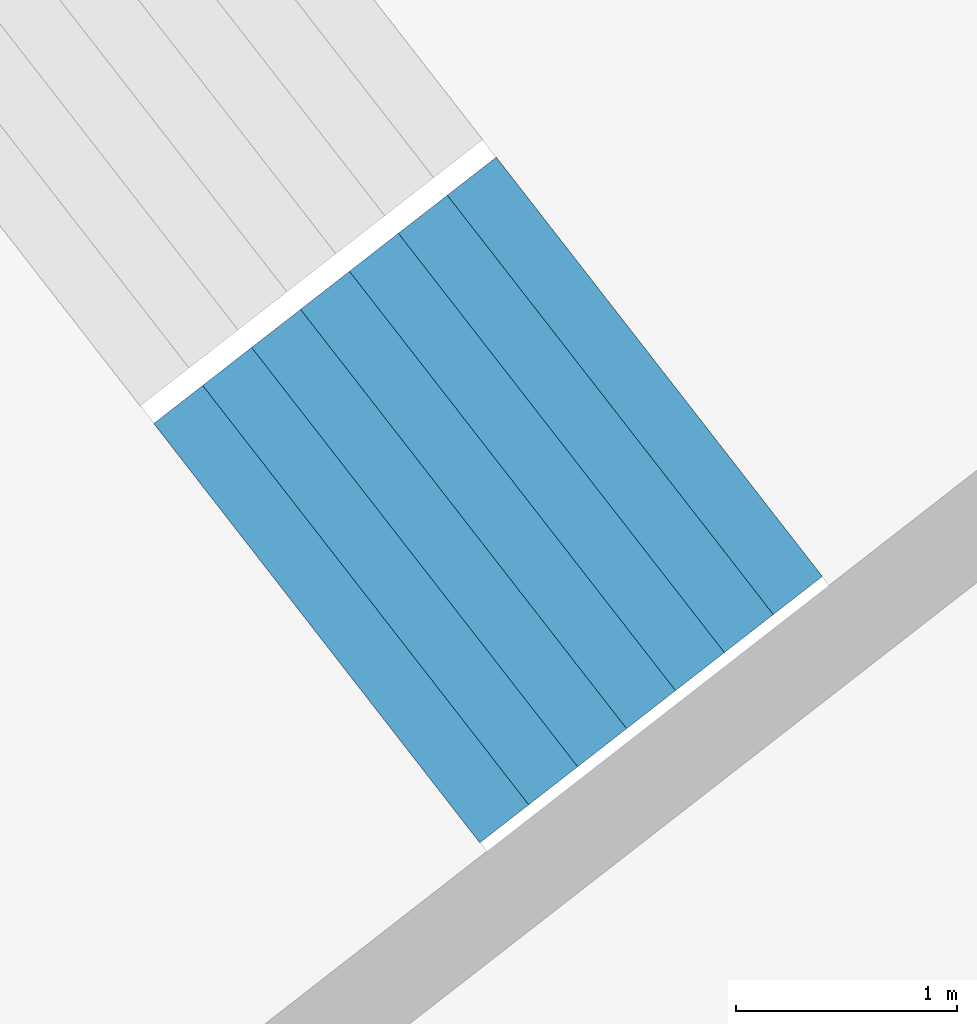
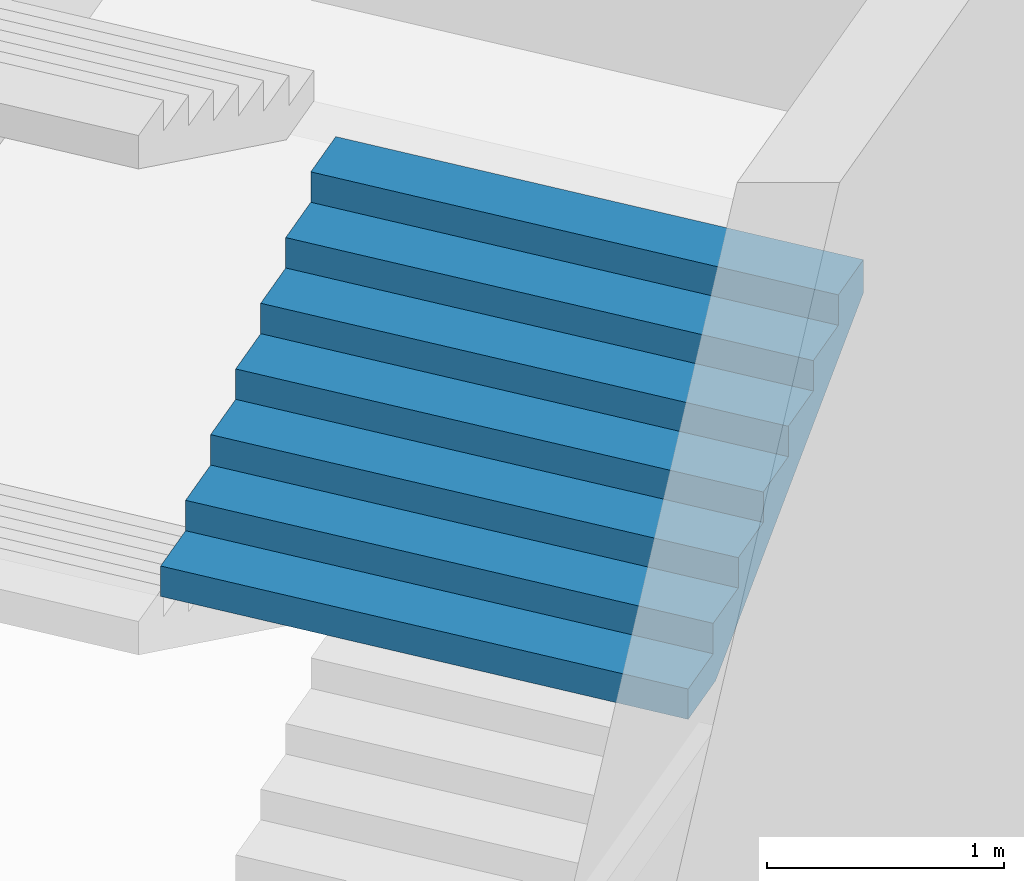
# One storey, part 62 of 73: 1 stair flight, 1 element without a shape of its own.
"""IFC4 building model written with IfcOpenShell, lengths in metres."""

from ifc_helpers import new_model, si_unit, direction, frame, origin, place, context, subcontext, project, spatial, triangles, material, type_object, element, aggregate, save


model = new_model("IFC4")

# Units and contexts
model_context = context("Model", 3, precision=1e-05, world=origin(), true_north=direction((0.0, 1.0)))
body_context = subcontext(model_context, "Body", "Model", "MODEL_VIEW")
ifc_project = project(units=[si_unit("LENGTHUNIT", "METRE"), si_unit("AREAUNIT", "SQUARE_METRE"), si_unit("VOLUMEUNIT", "CUBIC_METRE"), si_unit("PLANEANGLEUNIT", "RADIAN"), si_unit("MASSUNIT", "GRAM", prefix="KILO")], contexts=[model_context])

# Site, building, storey
site_placement = place(None, origin())
site = spatial("IfcSite", under=ifc_project, at=site_placement, CompositionType="ELEMENT")
building_placement = place(site_placement, origin())
building = spatial("IfcBuilding", under=site, at=building_placement, Name="Lantaw Convention Tower", CompositionType="ELEMENT")
storey_placement = place(building_placement, frame((0.0, 0.0, 27.0)))
storey = spatial("IfcBuildingStorey", under=building, at=storey_placement, Name="L04", CompositionType="ELEMENT", Elevation=27.0)

# Stair, stair flight
ifc_material = material(Name="Concrete C35/45", Category="concrete")
stair_type = type_object("IfcStairType", Name="Exit stair 2400 riser 156.25 in 4 flights", PredefinedType="HALF_TURN_STAIR", material=ifc_material)
stair_placement = place(storey_placement, origin())
stair = element("IfcStair", 1, at=stair_placement, inside=storey, type_object=stair_type, Name="Podium exit stair P3 L04", PredefinedType="HALF_TURN_STAIR")
stair_flight_type = type_object("IfcStairFlightType", Name="Stair flight 2400 riser 156.25", PredefinedType="STRAIGHT", material=ifc_material)
stair_flight_placement = place(storey_placement, frame((29.494384765625, 21.3544921875, 2.5), z_axis=(0.0, 0.0, 1.0), x_axis=(0.789378829664, 0.613906396186, 0.0)))
stair_flight = element("IfcStairFlight", 2, at=stair_flight_placement, type_object=stair_flight_type, Name="P3 flight 3", NumberOfRisers=8, NumberOfTreads=7, PredefinedType="STRAIGHT", RiserHeight=0.15625, TreadLength=0.28, context=body_context, shape_type="Tessellation", body=[
    triangles([(0.0, 1.199951171875, 0.0), (0.0, 1.199951171875, 0.15625), (0.28, 1.199951171875, 0.0), (0.28, 1.199951171875, 0.15625), (0.28, 1.199951171875, 0.3125), (0.3076200632058044, 1.199951171875, 0.0), (0.3076200632058044, 1.199951171875, 0.3125), (0.56, 1.199951171875, 0.14083701830033238), (0.56, 1.199951171875, 0.3125), (0.56, 1.199951171875, 0.46875), (0.8400000000000001, 1.199951171875, 0.29708701830033235), (0.8400000000000001, 1.199951171875, 0.46875), (0.8400000000000001, 1.199951171875, 0.625), (1.12, 1.199951171875, 0.45333701830033235), (1.12, 1.199951171875, 0.625), (1.12, 1.199951171875, 0.78125), (1.4000000000000001, 1.199951171875, 0.6095870183003324), (1.4000000000000001, 1.199951171875, 0.78125), (1.4000000000000001, 1.199951171875, 0.9375), (1.6800000000000002, 1.199951171875, 0.7658370183003324), (1.6800000000000002, 1.199951171875, 0.9375), (1.6800000000000002, 1.199951171875, 1.09375), (1.9600000000000002, 1.199951171875, 0.9220870183003324), (1.9600000000000002, 1.199951171875, 1.09375), (0.0, -1.199951171875, 0.0), (0.0, -1.199951171875, 0.15625), (0.28, -1.199951171875, 0.0), (0.28, -1.199951171875, 0.15625), (0.28, -1.199951171875, 0.3125), (0.3076200632058044, -1.199951171875, 0.0), (0.3076200632058044, -1.199951171875, 0.3125), (0.56, -1.199951171875, 0.14083701830033238), (0.56, -1.199951171875, 0.3125), (0.56, -1.199951171875, 0.46875), (0.8400000000000001, -1.199951171875, 0.29708701830033235), (0.8400000000000001, -1.199951171875, 0.46875), (0.8400000000000001, -1.199951171875, 0.625), (1.12, -1.199951171875, 0.45333701830033235), (1.12, -1.199951171875, 0.625), (1.12, -1.199951171875, 0.78125), (1.4000000000000001, -1.199951171875, 0.6095870183003324), (1.4000000000000001, -1.199951171875, 0.78125), (1.4000000000000001, -1.199951171875, 0.9375), (1.6800000000000002, -1.199951171875, 0.7658370183003324), (1.6800000000000002, -1.199951171875, 0.9375), (1.6800000000000002, -1.199951171875, 1.09375), (1.9600000000000002, -1.199951171875, 0.9220870183003324), (1.9600000000000002, -1.199951171875, 1.09375), (0.0, 0.239990234375, 0.15625), (0.0, 0.239990234375, 0.0), (0.0, 0.1919921875, 0.15625), (0.0, 0.1919921875, 0.0), (0.0, 0.143994140625, 0.15625), (0.0, 0.143994140625, 0.0), (0.0, 0.09599609375, 0.15625), (0.0, 0.09599609375, 0.0), (0.0, 0.047998046875, 0.15625), (0.0, 0.047998046875, 0.0), (0.0, 0.0, 0.15625), (0.0, 0.0, 0.0), (0.0, -0.047998046875, 0.15625), (0.0, -0.047998046875, 0.0), (0.0, -0.09599609375, 0.15625), (0.0, -0.09599609375, 0.0), (0.0, -0.143994140625, 0.15625), (0.0, -0.143994140625, 0.0), (0.0, -0.1919921875, 0.15625), (0.0, -0.1919921875, 0.0), (0.0, -0.239990234375, 0.15625), (0.0, -0.239990234375, 0.0), (0.28, 0.239990234375, 0.3125), (0.28, 0.239990234375, 0.15625), (0.28, 0.1919921875, 0.3125), (0.28, 0.1919921875, 0.15625), (0.28, 0.143994140625, 0.3125), (0.28, 0.143994140625, 0.15625), (0.28, 0.09599609375, 0.3125), (0.28, 0.09599609375, 0.15625), (0.28, 0.047998046875, 0.3125), (0.28, 0.047998046875, 0.15625), (0.28, 0.0, 0.3125), (0.28, 0.0, 0.15625), (0.28, -0.047998046875, 0.3125), (0.28, -0.047998046875, 0.15625), (0.28, -0.09599609375, 0.3125), (0.28, -0.09599609375, 0.15625), (0.28, -0.143994140625, 0.3125), (0.28, -0.143994140625, 0.15625), (0.28, -0.1919921875, 0.3125), (0.28, -0.1919921875, 0.15625), (0.28, -0.239990234375, 0.3125), (0.28, -0.239990234375, 0.15625), (0.56, 0.239990234375, 0.46875), (0.56, 0.239990234375, 0.3125), (0.56, 0.1919921875, 0.46875), (0.56, 0.1919921875, 0.3125), (0.56, 0.143994140625, 0.46875), (0.56, 0.143994140625, 0.3125), (0.56, 0.09599609375, 0.46875), (0.56, 0.09599609375, 0.3125), (0.56, 0.047998046875, 0.46875), (0.56, 0.047998046875, 0.3125), (0.56, 0.0, 0.46875), (0.56, 0.0, 0.3125), (0.56, -0.047998046875, 0.46875), (0.56, -0.047998046875, 0.3125), (0.56, -0.09599609375, 0.46875), (0.56, -0.09599609375, 0.3125), (0.56, -0.143994140625, 0.46875), (0.56, -0.143994140625, 0.3125), (0.56, -0.1919921875, 0.46875), (0.56, -0.1919921875, 0.3125), (0.56, -0.239990234375, 0.46875), (0.56, -0.239990234375, 0.3125), (0.8400000000000001, 0.239990234375, 0.625), (0.8400000000000001, 0.239990234375, 0.46875), (0.8400000000000001, 0.1919921875, 0.625), (0.8400000000000001, 0.1919921875, 0.46875), (0.8400000000000001, 0.143994140625, 0.625), (0.8400000000000001, 0.143994140625, 0.46875), (0.8400000000000001, 0.09599609375, 0.625), (0.8400000000000001, 0.09599609375, 0.46875), (0.8400000000000001, 0.047998046875, 0.625), (0.8400000000000001, 0.047998046875, 0.46875), (0.8400000000000001, 0.0, 0.625), (0.8400000000000001, 0.0, 0.46875), (0.8400000000000001, -0.047998046875, 0.625), (0.8400000000000001, -0.047998046875, 0.46875), (0.8400000000000001, -0.09599609375, 0.625), (0.8400000000000001, -0.09599609375, 0.46875), (0.8400000000000001, -0.143994140625, 0.625), (0.8400000000000001, -0.143994140625, 0.46875), (0.8400000000000001, -0.1919921875, 0.625), (0.8400000000000001, -0.1919921875, 0.46875), (0.8400000000000001, -0.239990234375, 0.625), (0.8400000000000001, -0.239990234375, 0.46875), (1.12, 0.239990234375, 0.78125), (1.12, 0.239990234375, 0.625), (1.12, 0.1919921875, 0.78125), (1.12, 0.1919921875, 0.625), (1.12, 0.143994140625, 0.78125), (1.12, 0.143994140625, 0.625), (1.12, 0.09599609375, 0.78125), (1.12, 0.09599609375, 0.625), (1.12, 0.047998046875, 0.78125), (1.12, 0.047998046875, 0.625), (1.12, 0.0, 0.78125), (1.12, 0.0, 0.625), (1.12, -0.047998046875, 0.78125), (1.12, -0.047998046875, 0.625), (1.12, -0.09599609375, 0.78125), (1.12, -0.09599609375, 0.625), (1.12, -0.143994140625, 0.78125), (1.12, -0.143994140625, 0.625), (1.12, -0.1919921875, 0.78125), (1.12, -0.1919921875, 0.625), (1.12, -0.239990234375, 0.78125), (1.12, -0.239990234375, 0.625), (1.4000000000000001, 0.239990234375, 0.9375), (1.4000000000000001, 0.239990234375, 0.78125), (1.4000000000000001, 0.1919921875, 0.9375), (1.4000000000000001, 0.1919921875, 0.78125), (1.4000000000000001, 0.143994140625, 0.9375), (1.4000000000000001, 0.143994140625, 0.78125), (1.4000000000000001, 0.09599609375, 0.9375), (1.4000000000000001, 0.09599609375, 0.78125), (1.4000000000000001, 0.047998046875, 0.9375), (1.4000000000000001, 0.047998046875, 0.78125), (1.4000000000000001, 0.0, 0.9375), (1.4000000000000001, 0.0, 0.78125), (1.4000000000000001, -0.047998046875, 0.9375), (1.4000000000000001, -0.047998046875, 0.78125), (1.4000000000000001, -0.09599609375, 0.9375), (1.4000000000000001, -0.09599609375, 0.78125), (1.4000000000000001, -0.143994140625, 0.9375), (1.4000000000000001, -0.143994140625, 0.78125), (1.4000000000000001, -0.1919921875, 0.9375), (1.4000000000000001, -0.1919921875, 0.78125), (1.4000000000000001, -0.239990234375, 0.9375), (1.4000000000000001, -0.239990234375, 0.78125), (1.6800000000000002, 0.239990234375, 1.09375), (1.6800000000000002, 0.239990234375, 0.9375), (1.6800000000000002, 0.1919921875, 1.09375), (1.6800000000000002, 0.1919921875, 0.9375), (1.6800000000000002, 0.143994140625, 1.09375), (1.6800000000000002, 0.143994140625, 0.9375), (1.6800000000000002, 0.09599609375, 1.09375), (1.6800000000000002, 0.09599609375, 0.9375), (1.6800000000000002, 0.047998046875, 1.09375), (1.6800000000000002, 0.047998046875, 0.9375), (1.6800000000000002, 0.0, 1.09375), (1.6800000000000002, 0.0, 0.9375), (1.6800000000000002, -0.047998046875, 1.09375), (1.6800000000000002, -0.047998046875, 0.9375), (1.6800000000000002, -0.09599609375, 1.09375), (1.6800000000000002, -0.09599609375, 0.9375), (1.6800000000000002, -0.143994140625, 1.09375), (1.6800000000000002, -0.143994140625, 0.9375), (1.6800000000000002, -0.1919921875, 1.09375), (1.6800000000000002, -0.1919921875, 0.9375), (1.6800000000000002, -0.239990234375, 1.09375), (1.6800000000000002, -0.239990234375, 0.9375), (0.3076200632058044, 0.239990234375, 0.3125), (0.3076200632058044, 0.1919921875, 0.3125), (0.3076200632058044, 0.143994140625, 0.3125), (0.3076200632058044, 0.09599609375, 0.3125), (0.3076200632058044, 0.047998046875, 0.3125), (0.3076200632058044, 0.0, 0.3125), (0.3076200632058044, -0.047998046875, 0.3125), (0.3076200632058044, -0.09599609375, 0.3125), (0.3076200632058044, -0.143994140625, 0.3125), (0.3076200632058044, -0.1919921875, 0.3125), (0.3076200632058044, -0.239990234375, 0.3125), (1.9600000000000002, 0.239990234375, 1.09375), (1.9600000000000002, 0.1919921875, 1.09375), (1.9600000000000002, 0.143994140625, 1.09375), (1.9600000000000002, 0.09599609375, 1.09375), (1.9600000000000002, 0.047998046875, 1.09375), (1.9600000000000002, 0.0, 1.09375), (1.9600000000000002, -0.047998046875, 1.09375), (1.9600000000000002, -0.09599609375, 1.09375), (1.9600000000000002, -0.143994140625, 1.09375), (1.9600000000000002, -0.1919921875, 1.09375), (1.9600000000000002, -0.239990234375, 1.09375), (1.9600000000000002, 0.239990234375, 0.9220870183003324), (1.9600000000000002, 0.1919921875, 0.9220870183003324), (1.9600000000000002, 0.143994140625, 0.9220870183003324), (1.9600000000000002, 0.09599609375, 0.9220870183003324), (1.9600000000000002, 0.047998046875, 0.9220870183003324), (1.9600000000000002, 0.0, 0.9220870183003324), (1.9600000000000002, -0.047998046875, 0.9220870183003324), (1.9600000000000002, -0.09599609375, 0.9220870183003324), (1.9600000000000002, -0.143994140625, 0.9220870183003324), (1.9600000000000002, -0.1919921875, 0.9220870183003324), (1.9600000000000002, -0.239990234375, 0.9220870183003324), (1.6800000000000002, 0.239990234375, 0.7658370183003324), (1.6800000000000002, 0.1919921875, 0.7658370183003324), (1.6800000000000002, 0.143994140625, 0.7658370183003324), (1.6800000000000002, 0.09599609375, 0.7658370183003324), (1.6800000000000002, 0.047998046875, 0.7658370183003324), (1.6800000000000002, 0.0, 0.7658370183003324), (1.6800000000000002, -0.047998046875, 0.7658370183003324), (1.6800000000000002, -0.09599609375, 0.7658370183003324), (1.6800000000000002, -0.143994140625, 0.7658370183003324), (1.6800000000000002, -0.1919921875, 0.7658370183003324), (1.6800000000000002, -0.239990234375, 0.7658370183003324), (1.4000000000000001, 0.239990234375, 0.6095870183003324), (1.4000000000000001, 0.1919921875, 0.6095870183003324), (1.4000000000000001, 0.143994140625, 0.6095870183003324), (1.4000000000000001, 0.09599609375, 0.6095870183003324), (1.4000000000000001, 0.047998046875, 0.6095870183003324), (1.4000000000000001, 0.0, 0.6095870183003324), (1.4000000000000001, -0.047998046875, 0.6095870183003324), (1.4000000000000001, -0.09599609375, 0.6095870183003324), (1.4000000000000001, -0.143994140625, 0.6095870183003324), (1.4000000000000001, -0.1919921875, 0.6095870183003324), (1.4000000000000001, -0.239990234375, 0.6095870183003324), (1.12, 0.239990234375, 0.45333701830033235), (1.12, 0.1919921875, 0.45333701830033235), (1.12, 0.143994140625, 0.45333701830033235), (1.12, 0.09599609375, 0.45333701830033235), (1.12, 0.047998046875, 0.45333701830033235), (1.12, 0.0, 0.45333701830033235), (1.12, -0.047998046875, 0.45333701830033235), (1.12, -0.09599609375, 0.45333701830033235), (1.12, -0.143994140625, 0.45333701830033235), (1.12, -0.1919921875, 0.45333701830033235), (1.12, -0.239990234375, 0.45333701830033235), (0.8400000000000001, 0.239990234375, 0.29708701830033235), (0.8400000000000001, 0.1919921875, 0.29708701830033235), (0.8400000000000001, 0.143994140625, 0.29708701830033235), (0.8400000000000001, 0.09599609375, 0.29708701830033235), (0.8400000000000001, 0.047998046875, 0.29708701830033235), (0.8400000000000001, 0.0, 0.29708701830033235), (0.8400000000000001, -0.047998046875, 0.29708701830033235), (0.8400000000000001, -0.09599609375, 0.29708701830033235), (0.8400000000000001, -0.143994140625, 0.29708701830033235), (0.8400000000000001, -0.1919921875, 0.29708701830033235), (0.8400000000000001, -0.239990234375, 0.29708701830033235), (0.56, 0.239990234375, 0.14083701830033238), (0.56, 0.1919921875, 0.14083701830033238), (0.56, 0.143994140625, 0.14083701830033238), (0.56, 0.09599609375, 0.14083701830033238), (0.56, 0.047998046875, 0.14083701830033238), (0.56, 0.0, 0.14083701830033238), (0.56, -0.047998046875, 0.14083701830033238), (0.56, -0.09599609375, 0.14083701830033238), (0.56, -0.143994140625, 0.14083701830033238), (0.56, -0.1919921875, 0.14083701830033238), (0.56, -0.239990234375, 0.14083701830033238), (0.3076200632058044, 0.239990234375, 0.0), (0.3076200632058044, 0.1919921875, 0.0), (0.3076200632058044, 0.143994140625, 0.0), (0.3076200632058044, 0.09599609375, 0.0), (0.3076200632058044, 0.047998046875, 0.0), (0.3076200632058044, 0.0, 0.0), (0.3076200632058044, -0.047998046875, 0.0), (0.3076200632058044, -0.09599609375, 0.0), (0.3076200632058044, -0.143994140625, 0.0), (0.3076200632058044, -0.1919921875, 0.0), (0.3076200632058044, -0.239990234375, 0.0), (0.28, 0.239990234375, 0.0), (0.28, 0.1919921875, 0.0), (0.28, 0.143994140625, 0.0), (0.28, 0.09599609375, 0.0), (0.28, 0.047998046875, 0.0), (0.28, 0.0, 0.0), (0.28, -0.047998046875, 0.0), (0.28, -0.09599609375, 0.0), (0.28, -0.143994140625, 0.0), (0.28, -0.1919921875, 0.0), (0.28, -0.239990234375, 0.0)], [[1, 4, 3], [1, 2, 4], [3, 4, 6], [4, 7, 6], [4, 5, 7], [6, 9, 8], [6, 7, 9], [8, 9, 11], [9, 12, 11], [9, 10, 12], [11, 12, 14], [12, 15, 14], [12, 13, 15], [14, 15, 17], [15, 18, 17], [15, 16, 18], [17, 18, 20], [18, 21, 20], [18, 19, 21], [20, 21, 23], [21, 24, 23], [21, 22, 24], [25, 27, 28], [25, 28, 26], [27, 30, 28], [28, 30, 31], [28, 31, 29], [30, 32, 33], [30, 33, 31], [32, 35, 33], [33, 35, 36], [33, 36, 34], [35, 38, 36], [36, 38, 39], [36, 39, 37], [38, 41, 39], [39, 41, 42], [39, 42, 40], [41, 44, 42], [42, 44, 45], [42, 45, 43], [44, 47, 45], [45, 47, 48], [45, 48, 46], [1, 49, 2], [1, 50, 49], [50, 51, 49], [50, 52, 51], [52, 53, 51], [52, 54, 53], [54, 55, 53], [54, 56, 55], [56, 57, 55], [56, 58, 57], [58, 59, 57], [58, 60, 59], [60, 61, 59], [60, 62, 61], [62, 63, 61], [62, 64, 63], [64, 65, 63], [64, 66, 65], [66, 67, 65], [66, 68, 67], [68, 69, 67], [68, 70, 69], [70, 26, 69], [70, 25, 26], [4, 71, 5], [4, 72, 71], [72, 73, 71], [72, 74, 73], [74, 75, 73], [74, 76, 75], [76, 77, 75], [76, 78, 77], [78, 79, 77], [78, 80, 79], [80, 81, 79], [80, 82, 81], [82, 83, 81], [82, 84, 83], [84, 85, 83], [84, 86, 85], [86, 87, 85], [86, 88, 87], [88, 89, 87], [88, 90, 89], [90, 91, 89], [90, 92, 91], [92, 29, 91], [92, 28, 29], [9, 93, 10], [9, 94, 93], [94, 95, 93], [94, 96, 95], [96, 97, 95], [96, 98, 97], [98, 99, 97], [98, 100, 99], [100, 101, 99], [100, 102, 101], [102, 103, 101], [102, 104, 103], [104, 105, 103], [104, 106, 105], [106, 107, 105], [106, 108, 107], [108, 109, 107], [108, 110, 109], [110, 111, 109], [110, 112, 111], [112, 113, 111], [112, 114, 113], [114, 34, 113], [114, 33, 34], [12, 115, 13], [12, 116, 115], [116, 117, 115], [116, 118, 117], [118, 119, 117], [118, 120, 119], [120, 121, 119], [120, 122, 121], [122, 123, 121], [122, 124, 123], [124, 125, 123], [124, 126, 125], [126, 127, 125], [126, 128, 127], [128, 129, 127], [128, 130, 129], [130, 131, 129], [130, 132, 131], [132, 133, 131], [132, 134, 133], [134, 135, 133], [134, 136, 135], [136, 37, 135], [136, 36, 37], [15, 137, 16], [15, 138, 137], [138, 139, 137], [138, 140, 139], [140, 141, 139], [140, 142, 141], [142, 143, 141], [142, 144, 143], [144, 145, 143], [144, 146, 145], [146, 147, 145], [146, 148, 147], [148, 149, 147], [148, 150, 149], [150, 151, 149], [150, 152, 151], [152, 153, 151], [152, 154, 153], [154, 155, 153], [154, 156, 155], [156, 157, 155], [156, 158, 157], [158, 40, 157], [158, 39, 40], [18, 159, 19], [18, 160, 159], [160, 161, 159], [160, 162, 161], [162, 163, 161], [162, 164, 163], [164, 165, 163], [164, 166, 165], [166, 167, 165], [166, 168, 167], [168, 169, 167], [168, 170, 169], [170, 171, 169], [170, 172, 171], [172, 173, 171], [172, 174, 173], [174, 175, 173], [174, 176, 175], [176, 177, 175], [176, 178, 177], [178, 179, 177], [178, 180, 179], [180, 43, 179], [180, 42, 43], [21, 181, 22], [21, 182, 181], [182, 183, 181], [182, 184, 183], [184, 185, 183], [184, 186, 185], [186, 187, 185], [186, 188, 187], [188, 189, 187], [188, 190, 189], [190, 191, 189], [190, 192, 191], [192, 193, 191], [192, 194, 193], [194, 195, 193], [194, 196, 195], [196, 197, 195], [196, 198, 197], [198, 199, 197], [198, 200, 199], [200, 201, 199], [200, 202, 201], [202, 46, 201], [202, 45, 46], [2, 72, 4], [2, 49, 72], [49, 74, 72], [49, 51, 74], [51, 76, 74], [51, 53, 76], [53, 78, 76], [53, 55, 78], [55, 80, 78], [55, 57, 80], [57, 82, 80], [57, 59, 82], [59, 84, 82], [59, 61, 84], [61, 86, 84], [61, 63, 86], [63, 88, 86], [63, 65, 88], [65, 90, 88], [65, 67, 90], [67, 92, 90], [67, 69, 92], [69, 28, 92], [69, 26, 28], [5, 203, 7], [5, 71, 203], [71, 204, 203], [71, 73, 204], [73, 205, 204], [73, 75, 205], [75, 206, 205], [75, 77, 206], [77, 207, 206], [77, 79, 207], [79, 208, 207], [79, 81, 208], [81, 209, 208], [81, 83, 209], [83, 210, 209], [83, 85, 210], [85, 211, 210], [85, 87, 211], [87, 212, 211], [87, 89, 212], [89, 213, 212], [89, 91, 213], [91, 31, 213], [91, 29, 31], [7, 94, 9], [7, 203, 94], [203, 96, 94], [203, 204, 96], [204, 98, 96], [204, 205, 98], [205, 100, 98], [205, 206, 100], [206, 102, 100], [206, 207, 102], [207, 104, 102], [207, 208, 104], [208, 106, 104], [208, 209, 106], [209, 108, 106], [209, 210, 108], [210, 110, 108], [210, 211, 110], [211, 112, 110], [211, 212, 112], [212, 114, 112], [212, 213, 114], [213, 33, 114], [213, 31, 33], [10, 116, 12], [10, 93, 116], [93, 118, 116], [93, 95, 118], [95, 120, 118], [95, 97, 120], [97, 122, 120], [97, 99, 122], [99, 124, 122], [99, 101, 124], [101, 126, 124], [101, 103, 126], [103, 128, 126], [103, 105, 128], [105, 130, 128], [105, 107, 130], [107, 132, 130], [107, 109, 132], [109, 134, 132], [109, 111, 134], [111, 136, 134], [111, 113, 136], [113, 36, 136], [113, 34, 36], [13, 138, 15], [13, 115, 138], [115, 140, 138], [115, 117, 140], [117, 142, 140], [117, 119, 142], [119, 144, 142], [119, 121, 144], [121, 146, 144], [121, 123, 146], [123, 148, 146], [123, 125, 148], [125, 150, 148], [125, 127, 150], [127, 152, 150], [127, 129, 152], [129, 154, 152], [129, 131, 154], [131, 156, 154], [131, 133, 156], [133, 158, 156], [133, 135, 158], [135, 39, 158], [135, 37, 39], [16, 160, 18], [16, 137, 160], [137, 162, 160], [137, 139, 162], [139, 164, 162], [139, 141, 164], [141, 166, 164], [141, 143, 166], [143, 168, 166], [143, 145, 168], [145, 170, 168], [145, 147, 170], [147, 172, 170], [147, 149, 172], [149, 174, 172], [149, 151, 174], [151, 176, 174], [151, 153, 176], [153, 178, 176], [153, 155, 178], [155, 180, 178], [155, 157, 180], [157, 42, 180], [157, 40, 42], [19, 182, 21], [19, 159, 182], [159, 184, 182], [159, 161, 184], [161, 186, 184], [161, 163, 186], [163, 188, 186], [163, 165, 188], [165, 190, 188], [165, 167, 190], [167, 192, 190], [167, 169, 192], [169, 194, 192], [169, 171, 194], [171, 196, 194], [171, 173, 196], [173, 198, 196], [173, 175, 198], [175, 200, 198], [175, 177, 200], [177, 202, 200], [177, 179, 202], [179, 45, 202], [179, 43, 45], [22, 214, 24], [22, 181, 214], [181, 215, 214], [181, 183, 215], [183, 216, 215], [183, 185, 216], [185, 217, 216], [185, 187, 217], [187, 218, 217], [187, 189, 218], [189, 219, 218], [189, 191, 219], [191, 220, 219], [191, 193, 220], [193, 221, 220], [193, 195, 221], [195, 222, 221], [195, 197, 222], [197, 223, 222], [197, 199, 223], [199, 224, 223], [199, 201, 224], [201, 48, 224], [201, 46, 48], [24, 225, 23], [24, 214, 225], [214, 226, 225], [214, 215, 226], [215, 227, 226], [215, 216, 227], [216, 228, 227], [216, 217, 228], [217, 229, 228], [217, 218, 229], [218, 230, 229], [218, 219, 230], [219, 231, 230], [219, 220, 231], [220, 232, 231], [220, 221, 232], [221, 233, 232], [221, 222, 233], [222, 234, 233], [222, 223, 234], [223, 235, 234], [223, 224, 235], [224, 47, 235], [224, 48, 47], [23, 236, 20], [23, 225, 236], [225, 237, 236], [225, 226, 237], [226, 238, 237], [226, 227, 238], [227, 239, 238], [227, 228, 239], [228, 240, 239], [228, 229, 240], [229, 241, 240], [229, 230, 241], [230, 242, 241], [230, 231, 242], [231, 243, 242], [231, 232, 243], [232, 244, 243], [232, 233, 244], [233, 245, 244], [233, 234, 245], [234, 246, 245], [234, 235, 246], [235, 44, 246], [235, 47, 44], [20, 247, 17], [20, 236, 247], [236, 248, 247], [236, 237, 248], [237, 249, 248], [237, 238, 249], [238, 250, 249], [238, 239, 250], [239, 251, 250], [239, 240, 251], [240, 252, 251], [240, 241, 252], [241, 253, 252], [241, 242, 253], [242, 254, 253], [242, 243, 254], [243, 255, 254], [243, 244, 255], [244, 256, 255], [244, 245, 256], [245, 257, 256], [245, 246, 257], [246, 41, 257], [246, 44, 41], [17, 258, 14], [17, 247, 258], [247, 259, 258], [247, 248, 259], [248, 260, 259], [248, 249, 260], [249, 261, 260], [249, 250, 261], [250, 262, 261], [250, 251, 262], [251, 263, 262], [251, 252, 263], [252, 264, 263], [252, 253, 264], [253, 265, 264], [253, 254, 265], [254, 266, 265], [254, 255, 266], [255, 267, 266], [255, 256, 267], [256, 268, 267], [256, 257, 268], [257, 38, 268], [257, 41, 38], [14, 269, 11], [14, 258, 269], [258, 270, 269], [258, 259, 270], [259, 271, 270], [259, 260, 271], [260, 272, 271], [260, 261, 272], [261, 273, 272], [261, 262, 273], [262, 274, 273], [262, 263, 274], [263, 275, 274], [263, 264, 275], [264, 276, 275], [264, 265, 276], [265, 277, 276], [265, 266, 277], [266, 278, 277], [266, 267, 278], [267, 279, 278], [267, 268, 279], [268, 35, 279], [268, 38, 35], [11, 280, 8], [11, 269, 280], [269, 281, 280], [269, 270, 281], [270, 282, 281], [270, 271, 282], [271, 283, 282], [271, 272, 283], [272, 284, 283], [272, 273, 284], [273, 285, 284], [273, 274, 285], [274, 286, 285], [274, 275, 286], [275, 287, 286], [275, 276, 287], [276, 288, 287], [276, 277, 288], [277, 289, 288], [277, 278, 289], [278, 290, 289], [278, 279, 290], [279, 32, 290], [279, 35, 32], [8, 291, 6], [8, 280, 291], [280, 292, 291], [280, 281, 292], [281, 293, 292], [281, 282, 293], [282, 294, 293], [282, 283, 294], [283, 295, 294], [283, 284, 295], [284, 296, 295], [284, 285, 296], [285, 297, 296], [285, 286, 297], [286, 298, 297], [286, 287, 298], [287, 299, 298], [287, 288, 299], [288, 300, 299], [288, 289, 300], [289, 301, 300], [289, 290, 301], [290, 30, 301], [290, 32, 30], [6, 302, 3], [6, 291, 302], [291, 303, 302], [291, 292, 303], [292, 304, 303], [292, 293, 304], [293, 305, 304], [293, 294, 305], [294, 306, 305], [294, 295, 306], [295, 307, 306], [295, 296, 307], [296, 308, 307], [296, 297, 308], [297, 309, 308], [297, 298, 309], [298, 310, 309], [298, 299, 310], [299, 311, 310], [299, 300, 311], [300, 312, 311], [300, 301, 312], [301, 27, 312], [301, 30, 27], [3, 50, 1], [3, 302, 50], [302, 52, 50], [302, 303, 52], [303, 54, 52], [303, 304, 54], [304, 56, 54], [304, 305, 56], [305, 58, 56], [305, 306, 58], [306, 60, 58], [306, 307, 60], [307, 62, 60], [307, 308, 62], [308, 64, 62], [308, 309, 64], [309, 66, 64], [309, 310, 66], [310, 68, 66], [310, 311, 68], [311, 70, 68], [311, 312, 70], [312, 25, 70], [312, 27, 25]], closed=True),
])
aggregate(stair, [stair_flight])

save(model, "model.ifc")
